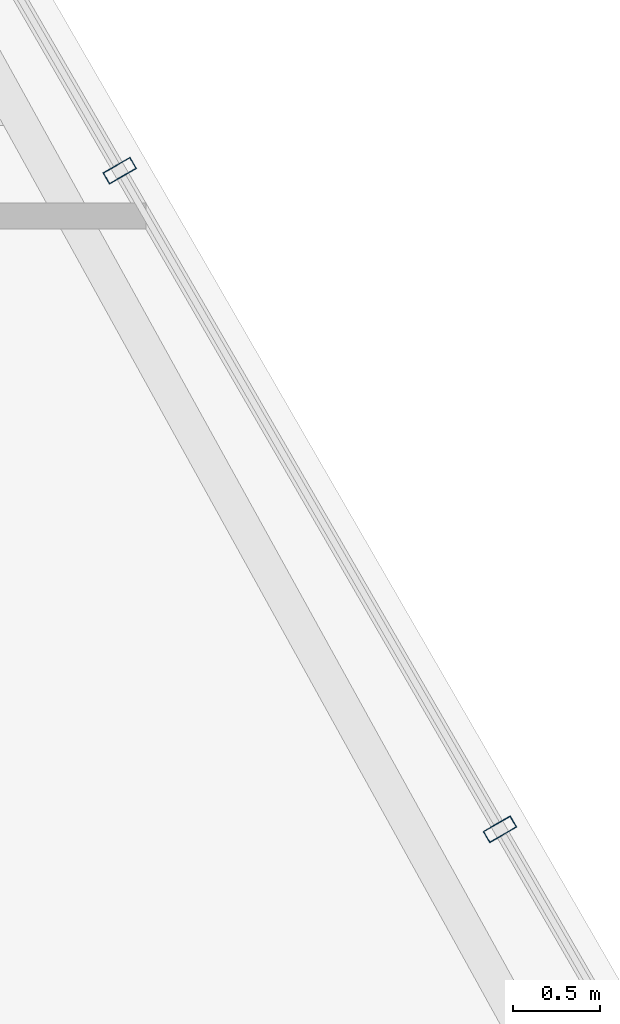
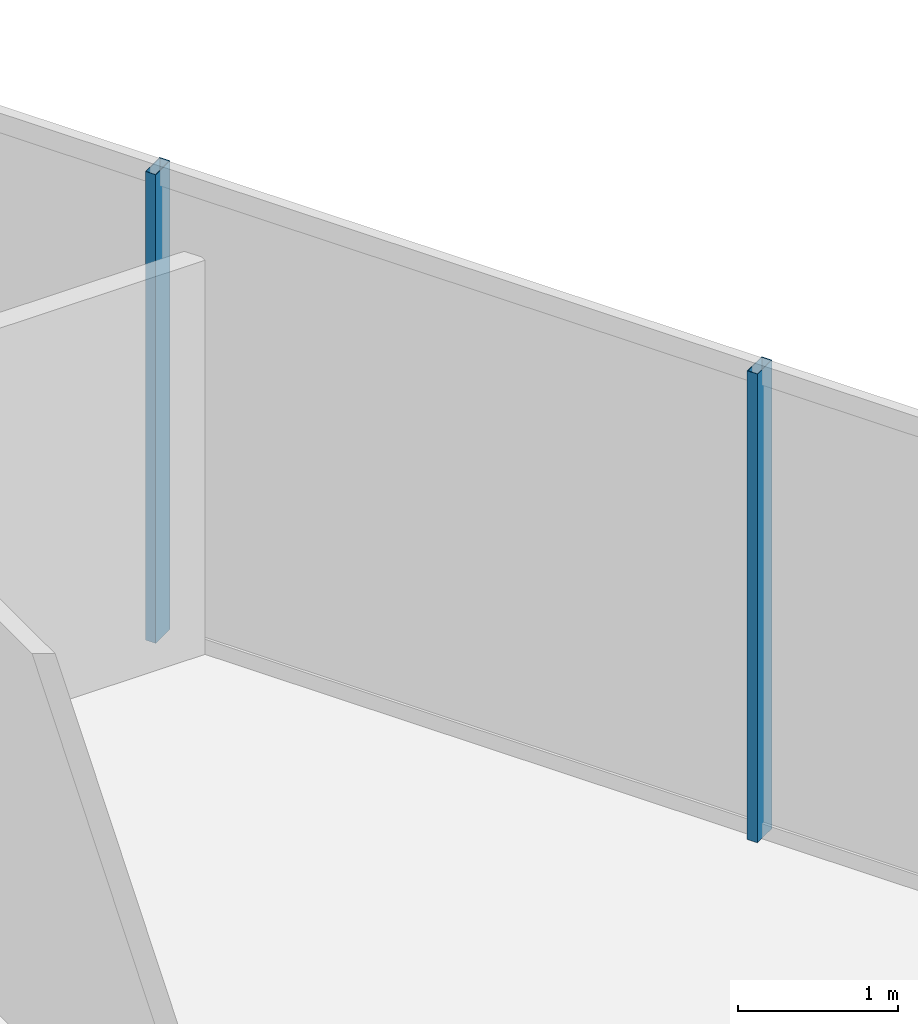
# One storey, part 17 of 29: 2 members, 1 element without a shape of its own.
"""IFC4 building model written with IfcOpenShell, lengths in metres."""

from ifc_helpers import new_model, si_unit, direction, frame, origin, origin_2d, place, context, subcontext, project, spatial, hollow_rectangle, extrude, material, layer, layer_set, material_profile, profile_set, type_object, element, aggregate, save


model = new_model("IFC4")

# Units and contexts
model_context = context("Model", 3, precision=1e-05, world=origin(), true_north=direction((0.0, 1.0)))
body_context = subcontext(model_context, "Body", "Model", "MODEL_VIEW")
ifc_project = project(units=[si_unit("LENGTHUNIT", "METRE"), si_unit("AREAUNIT", "SQUARE_METRE"), si_unit("VOLUMEUNIT", "CUBIC_METRE"), si_unit("PLANEANGLEUNIT", "RADIAN"), si_unit("MASSUNIT", "GRAM", prefix="KILO")], contexts=[model_context])

# Site, building, storey
site_placement = place(None, origin())
site = spatial("IfcSite", under=ifc_project, at=site_placement, CompositionType="ELEMENT")
building_placement = place(site_placement, origin())
building = spatial("IfcBuilding", under=site, at=building_placement, Name="Ndaravel Arena Tower", CompositionType="ELEMENT")
storey_placement = place(building_placement, frame((0.0, 0.0, 233.199951171875)))
storey = spatial("IfcBuildingStorey", under=building, at=storey_placement, Name="L56", CompositionType="ELEMENT", Elevation=233.199951171875)

# Curtain wall, members
ifc_material_1 = material(Name="Aluminium", Category="aluminium")
ifc_layer = layer(ifc_material_1, 0.179931640625)
ifc_layer_set = layer_set([ifc_layer], Name="Aluminium")
curtain_wall_type = type_object("IfcCurtainWallType", Name="CW-SYS-03", PredefinedType="NOTDEFINED", material=ifc_layer_set)
curtain_wall_placement = place(storey_placement, origin())
curtain_wall = element("IfcCurtainWall", 1, at=curtain_wall_placement, inside=storey, type_object=curtain_wall_type, Name="L56 Faceted Crystal Curtain Wall CW-L56-E03", PredefinedType="NOTDEFINED")
ifc_material_2 = material(Name="Aluminium", Category="aluminium")
ifc_material_profile = material_profile(ifc_material_2, hollow_rectangle(XDim=0.074951171875, YDim=0.179931640625, WallThickness=0.00390625, at=origin_2d()), Name="CW MULLION 75x180x4")
ifc_profile_set = profile_set([ifc_material_profile], Name="Aluminium")
member_type = type_object("IfcMemberType", Name="MEM-CW-MUL180", PredefinedType="MULLION", material=ifc_profile_set)
member_1_placement = place(storey_placement, frame((58.6455078125, 22.69287109375, 0.0), z_axis=(0.0, 0.0, 1.0), x_axis=(-0.5, 0.866025403784, 0.0)))
member_1 = element("IfcMember", 2, at=member_1_placement, type_object=member_type, Name="CW-L56-E03 Mullion 03", PredefinedType="MULLION", context=body_context, shape_type="SweptSolid", body=[
    extrude(hollow_rectangle(XDim=0.074951171875, YDim=0.179931640625, WallThickness=0.00390625, at=origin_2d()), origin(), (0.0, 0.0, 1.0), 3.580078125),
])
member_2_placement = place(storey_placement, frame((56.47119140625, 26.458984375, 0.0), z_axis=(0.0, 0.0, 1.0), x_axis=(-0.5, 0.866025403784, 0.0)))
member_2 = element("IfcMember", 3, at=member_2_placement, type_object=member_type, Name="CW-L56-E03 Mullion 04", PredefinedType="MULLION", context=body_context, shape_type="SweptSolid", body=[
    extrude(hollow_rectangle(XDim=0.074951171875, YDim=0.179931640625, WallThickness=0.00390625, at=origin_2d()), origin(), (0.0, 0.0, 1.0), 3.580078125),
])
aggregate(curtain_wall, [member_1, member_2])

save(model, "model.ifc")
